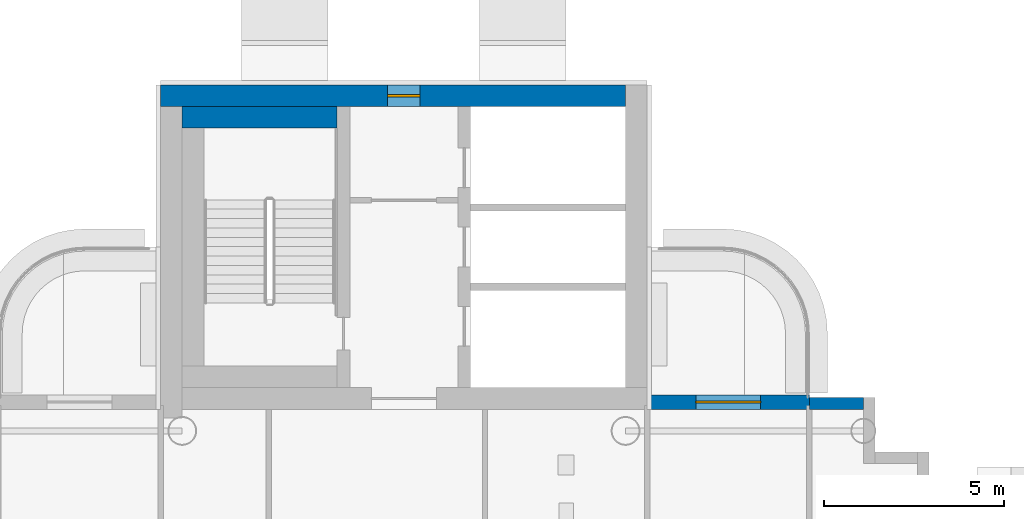
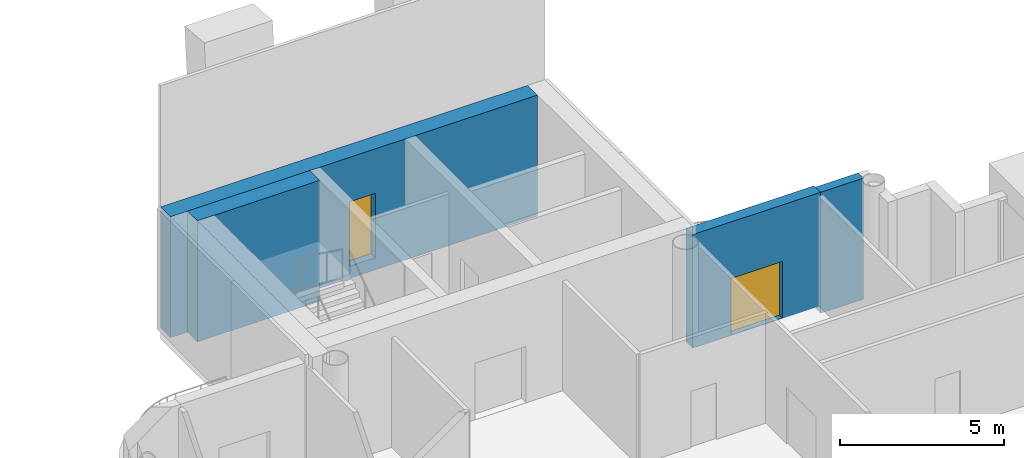
# One storey, part 11 of 20: 4 walls, 1 door, 1 window, 2 openings.
"""IFC4 building model written with IfcOpenShell, lengths in metres."""

from ifc_helpers import new_model, si_unit, direction, frame, frame_2d, origin, place, context, subcontext, project, spatial, rectangle, extrude, material, layer, layer_set, type_object, element, fill, save


model = new_model("IFC4")

# Units and contexts
model_context = context("Model", 3, precision=1e-05, world=origin(), true_north=direction((0.0, 1.0)))
body_context = subcontext(model_context, "Body", "Model", "MODEL_VIEW")
ifc_project = project(units=[si_unit("LENGTHUNIT", "METRE"), si_unit("AREAUNIT", "SQUARE_METRE"), si_unit("VOLUMEUNIT", "CUBIC_METRE"), si_unit("PLANEANGLEUNIT", "RADIAN"), si_unit("MASSUNIT", "GRAM", prefix="KILO")], contexts=[model_context])

# Site, building, storey
site_placement = place(None, origin())
site = spatial("IfcSite", under=ifc_project, at=site_placement, CompositionType="ELEMENT")
building_placement = place(site_placement, origin())
building = spatial("IfcBuilding", under=site, at=building_placement, Name="Ipe Terrace Towers", CompositionType="ELEMENT")
storey_placement = place(building_placement, frame((0.0, 0.0, 242.39990234375)))
storey = spatial("IfcBuildingStorey", under=building, at=storey_placement, Name="L67", CompositionType="ELEMENT", Elevation=242.39990234375)

# Wall, opening, door
ifc_material_1 = material(Name="Concrete C40/50 with buff precast cladding", Category="concrete")
ifc_layer_1 = layer(ifc_material_1, 0.39990234375)
ifc_layer_set_1 = layer_set([ifc_layer_1], Name="BALCONY BAY WALL 400")
wall_type_1 = type_object("IfcWallType", Name="BALCONY BAY WALL 400", PredefinedType="STANDARD", material=ifc_layer_set_1)
wall_1_placement = place(storey_placement, frame((47.25, 6.949951171875, -0.02001953125), z_axis=(0.0, 0.0, 1.0), x_axis=(-1.0, 0.0, 0.0)))
wall_1 = element("IfcWall", 1, at=wall_1_placement, inside=storey, type_object=wall_type_1, Name="T2-W-L67-14a wall", PredefinedType="STANDARD", context=body_context, shape_type="SweptSolid", body=[
    extrude(rectangle(XDim=4.5, YDim=0.39990234375, at=frame_2d((2.25, 0.0))), origin(), (0.0, 0.0, 1.0), 4.22021484375),
])
opening_1_placement = place(wall_1_placement, frame((1.35009765625, 0.0, 0.02001953125)))
opening_1 = element("IfcOpeningElement", 2, at=opening_1_placement, cuts=wall_1, Name="Opening T2-D-L67-14", PredefinedType="OPENING", context=body_context, shape_type="SweptSolid", body=[
    extrude(rectangle(XDim=1.800048828125, YDim=2.10009765625, at=frame_2d((0.89990234375, 1.050048828125))), frame((0.0, 0.2099609375, 0.0), z_axis=(0.0, -1.0, 0.0), x_axis=(1.0, 0.0, 0.0)), (0.0, 0.0, 1.0), 0.419921875),
])
ifc_material_2 = material(Name="Aluminium alloy 6063-T6 framed glazed door", Category="aluminium")
door_type = type_object("IfcDoorType", Name="BALCONY DOOR 1800 x 2100 RIGHT", OperationType="SINGLE_SWING_RIGHT", PredefinedType="DOOR", material=ifc_material_2)
door_placement = place(opening_1_placement, origin())
door = element("IfcDoor", 3, at=door_placement, inside=storey, type_object=door_type, Name="DB2 door", OperationType="SINGLE_SWING_RIGHT", OverallHeight=2.10009765625, OverallWidth=1.800048828125, PredefinedType="DOOR", context=body_context, shape_type="SweptSolid", body=[
    extrude(rectangle(XDim=1.800048828125, YDim=2.10009765625, at=frame_2d((0.89990234375, 1.050048828125))), frame((0.0, 0.02490234375, 0.0), z_axis=(0.0, -1.0, 0.0), x_axis=(1.0, 0.0, 0.0)), (0.0, 0.0, 1.0), 0.050048828125),
])
fill(opening_1, door)

# Walls
ifc_material_3 = material(Name="Concrete C40/50 with buff precast cladding", Category="concrete")
ifc_layer_2 = layer(ifc_material_3, 0.320068359375)
ifc_layer_set_2 = layer_set([ifc_layer_2], Name="BUFF CLADDING WALL 320")
wall_type_2 = type_object("IfcWallType", Name="BUFF CLADDING WALL 320", PredefinedType="STANDARD", material=ifc_layer_set_2)
wall_2_placement = place(storey_placement, frame((48.75, 6.909912109375, -0.2998046875), z_axis=(0.0, 0.0, 1.0), x_axis=(-1.0, 0.0, 0.0)))
element("IfcWall", 4, at=wall_2_placement, inside=storey, type_object=wall_type_2, Name="T2-W-L67-13a wall", PredefinedType="STANDARD", context=body_context, shape_type="SweptSolid", body=[
    extrude(rectangle(XDim=1.5, YDim=0.320068359375, at=frame_2d((0.75, 0.0))), origin(), (0.0, 0.0, 1.0), 4.5),
])
ifc_material_4 = material(Name="Concrete C40/50", Category="concrete")
ifc_layer_3 = layer(ifc_material_4, 0.60009765625)
ifc_layer_set_3 = layer_set([ifc_layer_3], Name="RW600 CORE INFILL WALL 600 C40-50")
wall_type_3 = type_object("IfcWallType", Name="RW600 CORE INFILL WALL 600 C40-50", PredefinedType="SHEAR", material=ifc_layer_set_3)
wall_3_placement = place(storey_placement, frame((34.14990234375, 14.85009765625, 0.0), z_axis=(0.0, 0.0, 1.0), x_axis=(-1.0, 0.0, 0.0)))
element("IfcWall", 5, at=wall_3_placement, inside=storey, type_object=wall_type_3, Name="Core infill wall T2-C1-far", PredefinedType="SHEAR", context=body_context, shape_type="SweptSolid", body=[
    extrude(rectangle(XDim=4.2998046875, YDim=0.60009765625, at=frame_2d((2.14990234375, 0.0))), origin(), (0.0, 0.0, 1.0), 4.5),
])

# Wall, opening, window
ifc_material_5 = material(Name="Concrete C40/50", Category="concrete")
ifc_layer_4 = layer(ifc_material_5, 0.60009765625)
ifc_layer_set_4 = layer_set([ifc_layer_4], Name="RW600 CORE WALL 600 C40-50")
wall_type_4 = type_object("IfcWallType", Name="RW600 CORE WALL 600 C40-50", PredefinedType="SHEAR", material=ifc_layer_set_4)
wall_4_placement = place(storey_placement, frame((42.14990234375, 15.449951171875, 0.0), z_axis=(0.0, 0.0, 1.0), x_axis=(-1.0, 0.0, 0.0)))
wall_4 = element("IfcWall", 6, at=wall_4_placement, inside=storey, type_object=wall_type_4, Name="Core wall T2-C1-Z4-W03", PredefinedType="SHEAR", context=body_context, shape_type="SweptSolid", body=[
    extrude(rectangle(XDim=12.89990234375, YDim=0.60009765625, at=frame_2d((6.449951171875, 0.0))), origin(), (0.0, 0.0, 1.0), 4.5),
])
opening_2_placement = place(wall_4_placement, frame((5.699951171875, 0.0, 0.449951171875)))
opening_2 = element("IfcOpeningElement", 7, at=opening_2_placement, cuts=wall_4, Name="Opening T2-C1-W-01-L67", PredefinedType="OPENING", context=body_context, shape_type="SweptSolid", body=[
    extrude(rectangle(XDim=0.89990234375, YDim=2.39990234375, at=frame_2d((0.449951171875, 1.199951171875))), frame((0.0, 0.31005859375, 0.0), z_axis=(0.0, -1.0, 0.0), x_axis=(1.0, 0.0, 0.0)), (0.0, 0.0, 1.0), 0.6201171875),
])
ifc_material_6 = material(Name="Fire-resistant glazing EI 60", Category="glass")
window_type = type_object("IfcWindowType", Name="CORRIDOR END SLOT WINDOW 900 x 2400 EI 60", PartitioningType="SINGLE_PANEL", PredefinedType="WINDOW", material=ifc_material_6)
window_placement = place(opening_2_placement, origin())
window = element("IfcWindow", 8, at=window_placement, inside=storey, type_object=window_type, Name="W-01 window", OverallHeight=2.39990234375, OverallWidth=0.89990234375, PartitioningType="SINGLE_PANEL", PredefinedType="WINDOW", context=body_context, shape_type="SweptSolid", body=[
    extrude(rectangle(XDim=0.89990234375, YDim=2.39990234375, at=frame_2d((0.449951171875, 1.199951171875))), frame((0.0, 0.030029296875, 0.0), z_axis=(0.0, -1.0, 0.0), x_axis=(1.0, 0.0, 0.0)), (0.0, 0.0, 1.0), 0.06005859375),
])
fill(opening_2, window)

save(model, "model.ifc")
